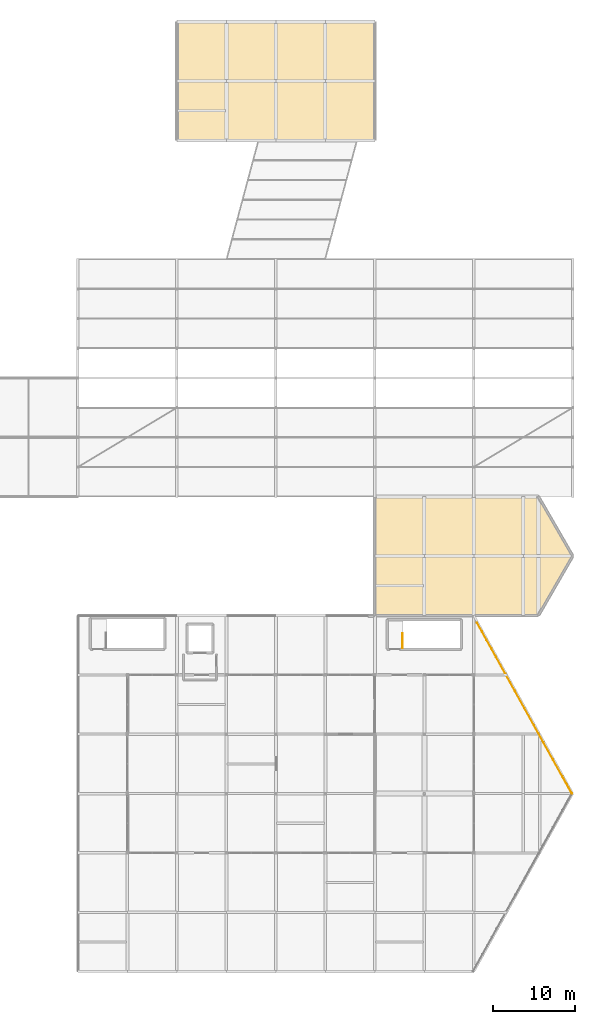
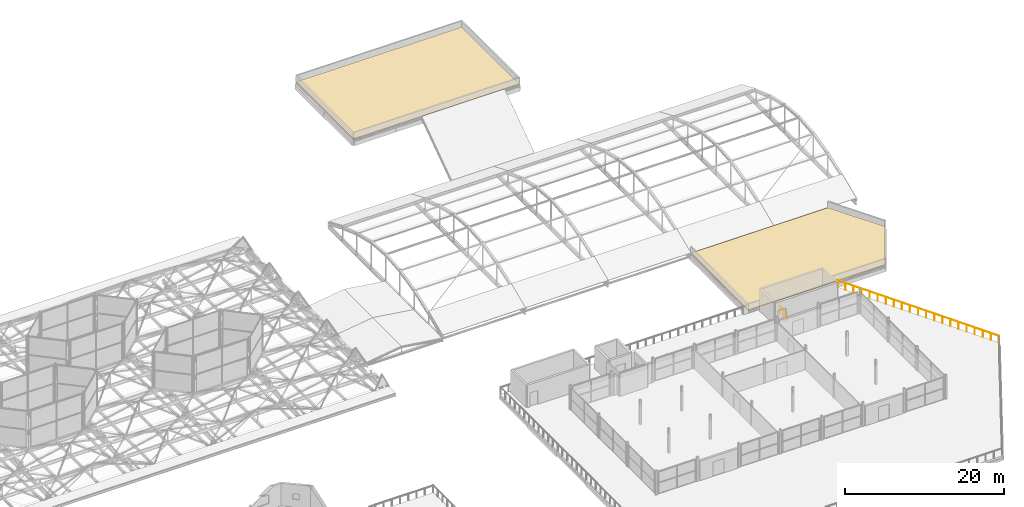
# One storey, part 239 of 239: 2 coverings, 2 railings.
"""IFC4 building model written with IfcOpenShell, lengths in metres."""

from ifc_helpers import new_model, si_unit, direction, frame, origin, origin_2d, place, context, subcontext, project, spatial, polyline, circle, outline, extrude, material, layer, layer_set, type_object, element, save


model = new_model("IFC4")

# Units and contexts
model_context = context("Model", 3, precision=1e-05, world=origin(), true_north=direction((0.0, 1.0)))
body_context = subcontext(model_context, "Body", "Model", "MODEL_VIEW")
ifc_project = project(units=[si_unit("LENGTHUNIT", "METRE"), si_unit("AREAUNIT", "SQUARE_METRE"), si_unit("VOLUMEUNIT", "CUBIC_METRE"), si_unit("PLANEANGLEUNIT", "RADIAN"), si_unit("MASSUNIT", "GRAM", prefix="KILO")], contexts=[model_context])

# Site, building, storey
site_placement = place(None, origin())
site = spatial("IfcSite", under=ifc_project, at=site_placement, CompositionType="ELEMENT")
building_placement = place(site_placement, origin())
building = spatial("IfcBuilding", under=site, at=building_placement, Name="Dunvalen Ferry Terminal", CompositionType="ELEMENT")
storey_placement = place(building_placement, frame((0.0, 0.0, 9.840087890625)))
storey = spatial("IfcBuildingStorey", under=building, at=storey_placement, Name="L02", CompositionType="ELEMENT", Elevation=9.840087890625)

# Coverings
ifc_material_1 = material(Name="Extensive coastal sedum green-roof build-up", Category="earth")
ifc_layer_1 = layer(ifc_material_1, 0.1201171875, Name="Extensive coastal sedum green-roof build-up")
ifc_layer_set_1 = layer_set([ifc_layer_1], Name="Extensive coastal sedum green-roof build-up")
covering_type_1 = type_object("IfcCoveringType", Name="ENV-COV-GRN02", PredefinedType="ROOFING", material=ifc_layer_set_1)
covering_1_placement = place(storey_placement, frame((0.0, 0.0, 0.239990234375)))
element("IfcCovering", 1, at=covering_1_placement, inside=storey, type_object=covering_type_1, Name="L02 V2ASE Planted Coastal Sedum Roof", PredefinedType="ROOFING", context=body_context, shape_type="SweptSolid", body=[
    extrude(outline(polyline([(144.0, 43.199951171875), (163.843017578125, 43.199951171875), (168.0, 50.39990234375), (163.843017578125, 57.60009765625), (144.0, 57.60009765625), (144.0, 43.199951171875)])), origin(), (0.0, 0.0, 1.0), 0.119873046875),
])
ifc_material_2 = material(Name="Standing-seam marine aluminium roofing", Category="aluminium")
ifc_layer_2 = layer(ifc_material_2, 0.080078125, Name="Standing-seam marine aluminium roofing")
ifc_layer_set_2 = layer_set([ifc_layer_2], Name="Standing-seam marine aluminium roofing")
covering_type_2 = type_object("IfcCoveringType", Name="ENV-COV-RFG01", PredefinedType="ROOFING", material=ifc_layer_set_2)
covering_2_placement = place(storey_placement, origin())
element("IfcCovering", 2, at=covering_2_placement, inside=storey, type_object=covering_type_2, Name="L02 Berth Pavilion 2 Standing-Seam Roof", PredefinedType="ROOFING", context=body_context, shape_type="SweptSolid", body=[
    extrude(outline(polyline([(120.0, 100.800048828125), (144.0, 100.800048828125), (144.0, 115.199951171875), (120.0, 115.199951171875), (120.0, 100.800048828125)])), origin(), (0.0, 0.0, 1.0), 0.079833984375),
])

# Railings
ifc_material_3 = material(Name="Marine grade 316 stainless steel", Category="steel")
railing_type_1 = type_object("IfcRailingType", Name="ENV-RL-BAL112", PredefinedType="BALUSTRADE", material=ifc_material_3)
railing_1_placement = place(storey_placement, frame((167.89990234375, 21.60009765625, 0.0)))
element("IfcRailing", 3, at=railing_1_placement, inside=storey, type_object=railing_type_1, Name="L02 Outdoor Terrace Safety Guard GRD-PROM-NE", PredefinedType="BALUSTRADE", context=body_context, shape_type="SweptSolid", body=[
    extrude(circle(Radius=0.02392578125, at=origin_2d()), frame((0.0, 0.0, 1.09619140625), z_axis=(-0.485643806559, 0.874156789799, 0.0), x_axis=(-0.874156789799, -0.485643806559, 0.0)), (0.0, 0.0, 1.0), 23.679931640625),
    extrude(circle(Radius=0.02099609375, at=origin_2d()), origin(), (0.0, 0.0, 1.0), 1.072021484375),
    extrude(circle(Radius=0.02099609375, at=origin_2d()), frame((-0.574951171875, 1.034912109375, 0.0)), (0.0, 0.0, 1.0), 1.072021484375),
    extrude(circle(Radius=0.02099609375, at=origin_2d()), frame((-1.14990234375, 2.070068359375, 0.0)), (0.0, 0.0, 1.0), 1.072021484375),
    extrude(circle(Radius=0.02099609375, at=origin_2d()), frame((-1.72509765625, 3.10498046875, 0.0)), (0.0, 0.0, 1.0), 1.072021484375),
    extrude(circle(Radius=0.02099609375, at=origin_2d()), frame((-2.300048828125, 4.139892578125, 0.0)), (0.0, 0.0, 1.0), 1.072021484375),
    extrude(circle(Radius=0.02099609375, at=origin_2d()), frame((-2.875, 5.175048828125, 0.0)), (0.0, 0.0, 1.0), 1.072021484375),
    extrude(circle(Radius=0.02099609375, at=origin_2d()), frame((-3.449951171875, 6.2099609375, 0.0)), (0.0, 0.0, 1.0), 1.072021484375),
    extrude(circle(Radius=0.02099609375, at=origin_2d()), frame((-4.02490234375, 7.244873046875, 0.0)), (0.0, 0.0, 1.0), 1.072021484375),
    extrude(circle(Radius=0.02099609375, at=origin_2d()), frame((-4.60009765625, 8.280029296875, 0.0)), (0.0, 0.0, 1.0), 1.072021484375),
    extrude(circle(Radius=0.02099609375, at=origin_2d()), frame((-5.175048828125, 9.31494140625, 0.0)), (0.0, 0.0, 1.0), 1.072021484375),
    extrude(circle(Radius=0.02099609375, at=origin_2d()), frame((-5.75, 10.35009765625, 0.0)), (0.0, 0.0, 1.0), 1.072021484375),
    extrude(circle(Radius=0.02099609375, at=origin_2d()), frame((-6.324951171875, 11.385009765625, 0.0)), (0.0, 0.0, 1.0), 1.072021484375),
    extrude(circle(Radius=0.02099609375, at=origin_2d()), frame((-6.89990234375, 12.419921875, 0.0)), (0.0, 0.0, 1.0), 1.072021484375),
    extrude(circle(Radius=0.02099609375, at=origin_2d()), frame((-7.47509765625, 13.455078125, 0.0)), (0.0, 0.0, 1.0), 1.072021484375),
    extrude(circle(Radius=0.02099609375, at=origin_2d()), frame((-8.050048828125, 14.489990234375, 0.0)), (0.0, 0.0, 1.0), 1.072021484375),
    extrude(circle(Radius=0.02099609375, at=origin_2d()), frame((-8.625, 15.52490234375, 0.0)), (0.0, 0.0, 1.0), 1.072021484375),
    extrude(circle(Radius=0.02099609375, at=origin_2d()), frame((-9.199951171875, 16.56005859375, 0.0)), (0.0, 0.0, 1.0), 1.072021484375),
    extrude(circle(Radius=0.02099609375, at=origin_2d()), frame((-9.77490234375, 17.594970703125, 0.0)), (0.0, 0.0, 1.0), 1.072021484375),
    extrude(circle(Radius=0.02099609375, at=origin_2d()), frame((-10.35009765625, 18.6298828125, 0.0)), (0.0, 0.0, 1.0), 1.072021484375),
    extrude(circle(Radius=0.02099609375, at=origin_2d()), frame((-10.925048828125, 19.6650390625, 0.0)), (0.0, 0.0, 1.0), 1.072021484375),
    extrude(circle(Radius=0.02099609375, at=origin_2d()), frame((-11.5, 20.699951171875, 0.0)), (0.0, 0.0, 1.0), 1.072021484375),
])
ifc_material_4 = material(Name="Painted galvanised steel S275", Category="steel")
railing_type_2 = type_object("IfcRailingType", Name="INT-RL-STGRD", PredefinedType="GUARDRAIL", material=ifc_material_4)
railing_2_placement = place(storey_placement, frame((147.35009765625, 39.25, 0.0)))
element("IfcRailing", 4, at=railing_2_placement, inside=storey, type_object=railing_type_2, Name="L02 ST6 top well guard 1", PredefinedType="GUARDRAIL", context=body_context, shape_type="SweptSolid", body=[
    extrude(circle(Radius=0.02392578125, at=origin_2d()), frame((0.0, 0.0, 1.076171875), z_axis=(0.0, 1.0, 0.0), x_axis=(-1.0, 0.0, 0.0)), (0.0, 0.0, 1.0), 1.75),
    extrude(circle(Radius=0.02099609375, at=origin_2d()), origin(), (0.0, 0.0, 1.0), 1.052001953125),
    extrude(circle(Radius=0.02099609375, at=origin_2d()), frame((0.0, 0.875, 0.0)), (0.0, 0.0, 1.0), 1.052001953125),
    extrude(circle(Radius=0.02099609375, at=origin_2d()), frame((0.0, 1.75, 0.0)), (0.0, 0.0, 1.0), 1.052001953125),
])

save(model, "model.ifc")
